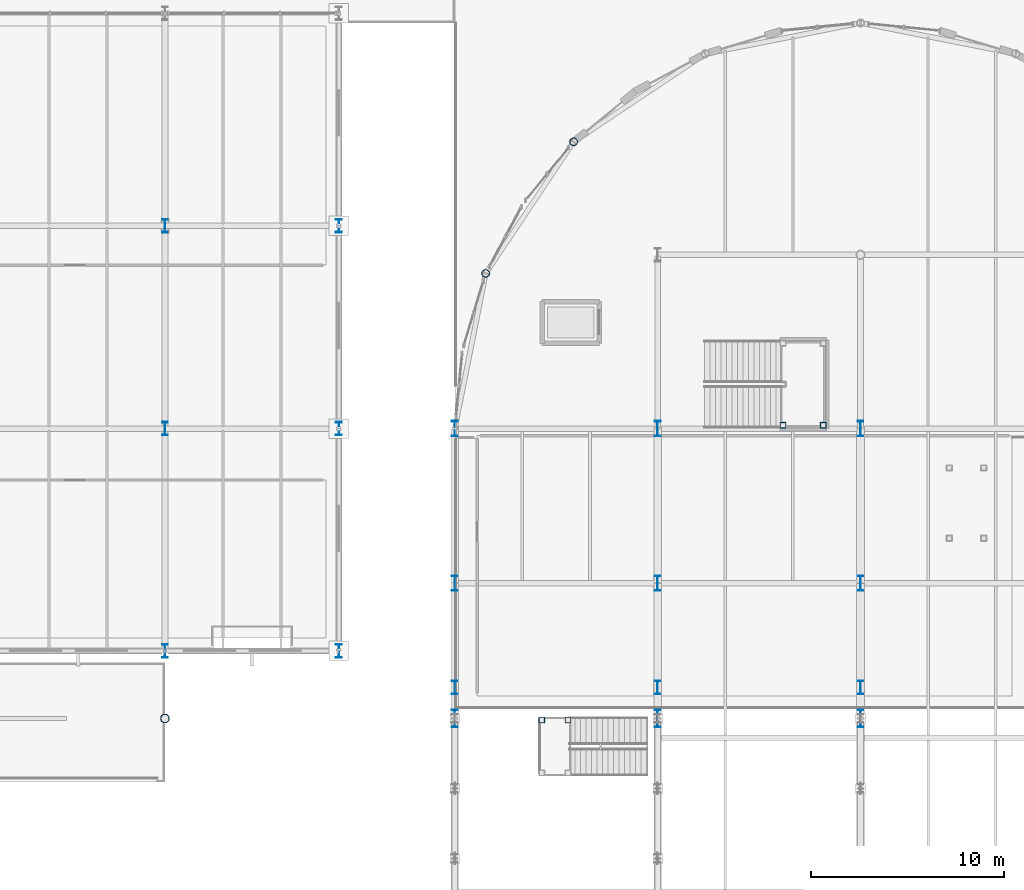
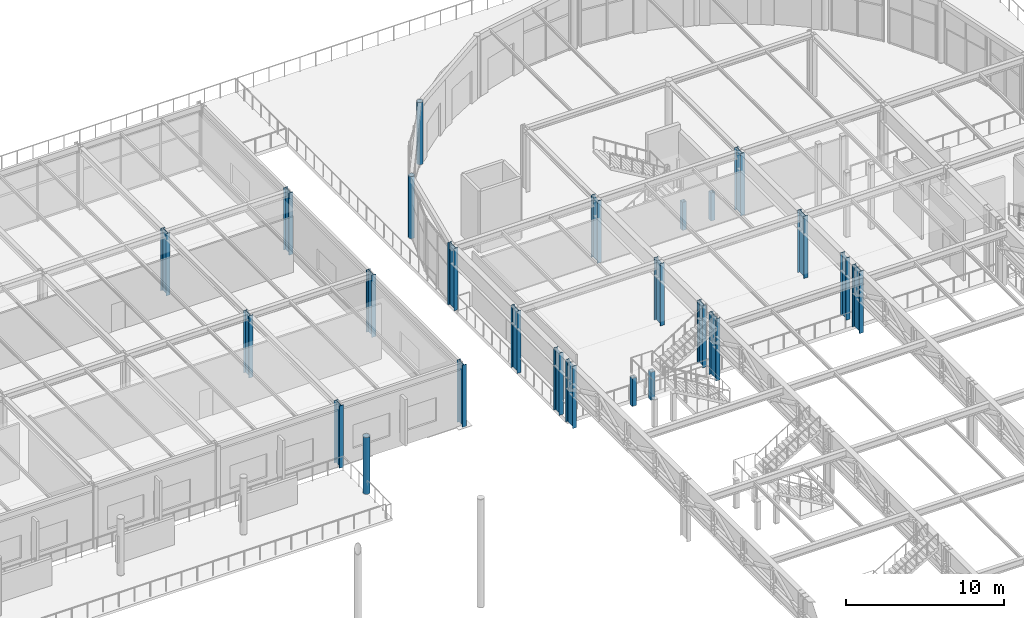
# One storey, part 13 of 143: 25 columns.
"""IFC4 building model written with IfcOpenShell, lengths in metres."""

from ifc_helpers import new_model, si_unit, direction, frame, origin, origin_2d, place, context, subcontext, project, spatial, hollow_rectangle, hollow_circle, i_section, extrude, material, material_profile, profile_set, type_object, element, save


model = new_model("IFC4")

# Units and contexts
model_context = context("Model", 3, precision=1e-05, world=origin(), true_north=direction((0.0, 1.0)))
body_context = subcontext(model_context, "Body", "Model", "MODEL_VIEW")
ifc_project = project(units=[si_unit("LENGTHUNIT", "METRE"), si_unit("AREAUNIT", "SQUARE_METRE"), si_unit("VOLUMEUNIT", "CUBIC_METRE"), si_unit("PLANEANGLEUNIT", "RADIAN"), si_unit("MASSUNIT", "GRAM", prefix="KILO")], contexts=[model_context])

# Site, building, storey
site_placement = place(None, origin())
site = spatial("IfcSite", under=ifc_project, at=site_placement, CompositionType="ELEMENT")
building_placement = place(site_placement, origin())
building = spatial("IfcBuilding", under=site, at=building_placement, Name="Marlcrest Central Station", CompositionType="ELEMENT")
storey_placement = place(building_placement, frame((0.0, 0.0, 4.800048828125)))
storey = spatial("IfcBuildingStorey", under=building, at=storey_placement, Name="L01", CompositionType="ELEMENT", Elevation=4.800048828125)

# Columns
ifc_material = material(Name="Steel S355", Category="steel")
ifc_material_profile_1 = material_profile(ifc_material, i_section(OverallWidth=0.300048828125, OverallDepth=0.699951171875, WebThickness=0.01708984375, FlangeThickness=0.031982421875, FilletRadius=0.027099609375, at=origin_2d()), Name="HEB 700")
ifc_profile_set_1 = profile_set([ifc_material_profile_1], Name="Steel S355")
column_type_1 = type_object("IfcColumnType", Name="SC-07", PredefinedType="COLUMN", material=ifc_profile_set_1)
for number, where, z_axis, x_axis, name in (
    (1, (72.0, 99.0, 0.0), (0.0, 0.0, 1.0), (1.0, 0.0, 0.0), "col-SC-07-L01-0109"),
    (2, (72.0, 110.5, 0.0), (0.0, 0.0, 1.0), (1.0, 0.0, 0.0), "col-SC-07-L01-0110"),
    (3, (72.0, 121.0, 0.0), (0.0, 0.0, 1.0), (1.0, 0.0, 0.0), "col-SC-07-L01-0111"),
    (4, (81.0, 99.0, 0.0), (0.0, 0.0, 1.0), (1.0, 0.0, 0.0), "col-SC-07-L01-0113"),
    (5, (81.0, 110.5, 0.0), (0.0, 0.0, 1.0), (1.0, 0.0, 0.0), "col-SC-07-L01-0114"),
    (6, (81.0, 121.0, 0.0), (0.0, 0.0, 1.0), (1.0, 0.0, 0.0), "col-SC-07-L01-0115"),
):
    element("IfcColumn", number, at=place(storey_placement, frame(where, z_axis=z_axis, x_axis=x_axis)), inside=storey, type_object=column_type_1, Name=name, PredefinedType="COLUMN", context=body_context, shape_type="SweptSolid", body=[
        extrude(i_section(OverallWidth=0.300048828125, OverallDepth=0.699951171875, WebThickness=0.01708984375, FlangeThickness=0.031982421875, FilletRadius=0.027099609375, at=origin_2d()), origin(), (0.0, 0.0, 1.0), 4.820068359375),
    ])
for number, where, z_axis, x_axis, name in (
    (7, (87.0, 97.10009765625, 0.0), (0.0, 0.0, 1.0), (1.0, 0.0, 0.0), "col-SC-07-L01-0885"),
    (8, (97.5, 97.10009765625, 0.0), (0.0, 0.0, 1.0), (1.0, 0.0, 0.0), "col-SC-07-L01-0888"),
    (9, (108.0, 97.10009765625, 0.0), (0.0, 0.0, 1.0), (1.0, 0.0, 0.0), "col-SC-07-L01-0891"),
):
    element("IfcColumn", number, at=place(storey_placement, frame(where, z_axis=z_axis, x_axis=x_axis)), inside=storey, type_object=column_type_1, Name=name, PredefinedType="COLUMN", context=body_context, shape_type="SweptSolid", body=[
        extrude(i_section(OverallWidth=0.300048828125, OverallDepth=0.699951171875, WebThickness=0.01708984375, FlangeThickness=0.031982421875, FilletRadius=0.027099609375, at=origin_2d()), origin(), (0.0, 0.0, 1.0), 4.81494140625),
    ])
ifc_material_profile_2 = material_profile(ifc_material, i_section(OverallWidth=0.300048828125, OverallDepth=0.800048828125, WebThickness=0.017578125, FlangeThickness=0.032958984375, FilletRadius=0.030029296875, at=origin_2d()), Name="HEB 800")
ifc_profile_set_2 = profile_set([ifc_material_profile_2], Name="Steel S355")
column_type_2 = type_object("IfcColumnType", Name="SC-08", PredefinedType="COLUMN", material=ifc_profile_set_2)
for number, where, z_axis, x_axis, name in (
    (10, (87.0, 102.5, 0.0), (0.0, 0.0, 1.0), (1.0, 0.0, 0.0), "col-SC-08-L01-0752"),
    (11, (97.5, 102.5, 0.0), (0.0, 0.0, 1.0), (1.0, 0.0, 0.0), "col-SC-08-L01-0754"),
    (12, (108.0, 102.5, 0.0), (0.0, 0.0, 1.0), (1.0, 0.0, 0.0), "col-SC-08-L01-0756"),
    (13, (87.0, 110.5, 0.0), (0.0, 0.0, 1.0), (1.0, 0.0, 0.0), "col-SC-08-L01-0770"),
    (14, (97.5, 110.5, 0.0), (0.0, 0.0, 1.0), (1.0, 0.0, 0.0), "col-SC-08-L01-0772"),
    (15, (108.0, 110.5, 0.0), (0.0, 0.0, 1.0), (1.0, 0.0, 0.0), "col-SC-08-L01-0774"),
):
    element("IfcColumn", number, at=place(storey_placement, frame(where, z_axis=z_axis, x_axis=x_axis)), inside=storey, type_object=column_type_2, Name=name, PredefinedType="COLUMN", context=body_context, shape_type="SweptSolid", body=[
        extrude(i_section(OverallWidth=0.300048828125, OverallDepth=0.800048828125, WebThickness=0.017578125, FlangeThickness=0.032958984375, FilletRadius=0.030029296875, at=origin_2d()), origin(), (0.0, 0.0, 1.0), 4.81494140625),
    ])
ifc_material_profile_3 = material_profile(ifc_material, i_section(OverallWidth=0.300048828125, OverallDepth=0.89990234375, WebThickness=0.0185546875, FlangeThickness=0.034912109375, FilletRadius=0.030029296875, at=origin_2d()), Name="HEB 900")
ifc_profile_set_3 = profile_set([ifc_material_profile_3], Name="Steel S355")
column_type_3 = type_object("IfcColumnType", Name="SC-09", PredefinedType="COLUMN", material=ifc_profile_set_3)
for number, where, z_axis, x_axis, name in (
    (16, (87.0, 95.5, 0.0), (0.0, 0.0, 1.0), (1.0, 0.0, 0.0), "col-SC-09-L01-0626"),
    (17, (97.5, 95.5, 0.0), (0.0, 0.0, 1.0), (1.0, 0.0, 0.0), "col-SC-09-L01-0636"),
    (18, (108.0, 95.5, 0.0), (0.0, 0.0, 1.0), (1.0, 0.0, 0.0), "col-SC-09-L01-0646"),
):
    element("IfcColumn", number, at=place(storey_placement, frame(where, z_axis=z_axis, x_axis=x_axis)), inside=storey, type_object=column_type_3, Name=name, PredefinedType="COLUMN", context=body_context, shape_type="SweptSolid", body=[
        extrude(i_section(OverallWidth=0.300048828125, OverallDepth=0.89990234375, WebThickness=0.0185546875, FlangeThickness=0.034912109375, FilletRadius=0.030029296875, at=origin_2d()), origin(), (0.0, 0.0, 1.0), 4.81494140625),
    ])
ifc_material_profile_4 = material_profile(ifc_material, hollow_circle(Radius=0.203125, WallThickness=0.02001953125, at=origin_2d()), Name="CHS 406.4x20")
ifc_profile_set_4 = profile_set([ifc_material_profile_4], Name="Steel S355")
column_type_4 = type_object("IfcColumnType", Name="SC-10", PredefinedType="COLUMN", material=ifc_profile_set_4)
for number, where, z_axis, x_axis, name in (
    (19, (88.59912109375, 118.535888671875, 0.0), (0.0, 0.0, 1.0), (1.0, 0.0, 0.0), "col-SC-10-L01-0844"),
    (20, (93.15087890625, 125.34912109375, 0.0), (0.0, 0.0, 1.0), (1.0, 0.0, 0.0), "col-SC-10-L01-0848"),
):
    element("IfcColumn", number, at=place(storey_placement, frame(where, z_axis=z_axis, x_axis=x_axis)), inside=storey, type_object=column_type_4, Name=name, PredefinedType="COLUMN", context=body_context, shape_type="SweptSolid", body=[
        extrude(hollow_circle(Radius=0.203125, WallThickness=0.02001953125, at=origin_2d()), origin(), (0.0, 0.0, 1.0), 4.81005859375),
    ])
ifc_material_profile_5 = material_profile(ifc_material, hollow_circle(Radius=0.228515625, WallThickness=0.02001953125, at=origin_2d()), Name="CHS 457x20")
ifc_profile_set_5 = profile_set([ifc_material_profile_5], Name="Steel S355")
column_type_5 = type_object("IfcColumnType", Name="SC-11", PredefinedType="COLUMN", material=ifc_profile_set_5)
column_placement = place(storey_placement, frame((72.0, 95.5, 0.0), z_axis=(0.0, 0.0, 1.0), x_axis=(1.0, 0.0, 0.0)))
element("IfcColumn", 21, at=column_placement, inside=storey, type_object=column_type_5, Name="col-SC-11-L01-0501", PredefinedType="COLUMN", context=body_context, shape_type="SweptSolid", body=[
    extrude(hollow_circle(Radius=0.228515625, WallThickness=0.02001953125, at=origin_2d()), origin(), (0.0, 0.0, 1.0), 4.39990234375),
])
ifc_material_profile_6 = material_profile(ifc_material, hollow_rectangle(XDim=0.300048828125, YDim=0.300048828125, WallThickness=0.01611328125, at=origin_2d()), Name="SHS 300x300x16")
ifc_profile_set_6 = profile_set([ifc_material_profile_6], Name="Steel S355")
column_type_6 = type_object("IfcColumnType", Name="SC-19", PredefinedType="COLUMN", material=ifc_profile_set_6)
for number, where, z_axis, x_axis, name in (
    (22, (91.5, 95.419921875, 0.0), (0.0, 0.0, 1.0), (1.0, 0.0, 0.0), "stcol-hi1-0027-915-954"),
    (23, (92.860107421875, 95.419921875, 0.0), (0.0, 0.0, 1.0), (1.0, 0.0, 0.0), "stcol-hi1-0027-928-954"),
    (24, (103.989990234375, 110.679931640625, 0.0), (0.0, 0.0, 1.0), (1.0, 0.0, 0.0), "htcol-lo-0034-0"),
    (25, (106.070068359375, 110.679931640625, 0.0), (0.0, 0.0, 1.0), (1.0, 0.0, 0.0), "htcol-lo-0034-1"),
):
    element("IfcColumn", number, at=place(storey_placement, frame(where, z_axis=z_axis, x_axis=x_axis)), inside=storey, type_object=column_type_6, Name=name, PredefinedType="COLUMN", context=body_context, shape_type="SweptSolid", body=[
        extrude(hollow_rectangle(XDim=0.300048828125, YDim=0.300048828125, WallThickness=0.01611328125, at=origin_2d()), origin(), (0.0, 0.0, 1.0), 2.179931640625),
    ])

save(model, "model.ifc")
